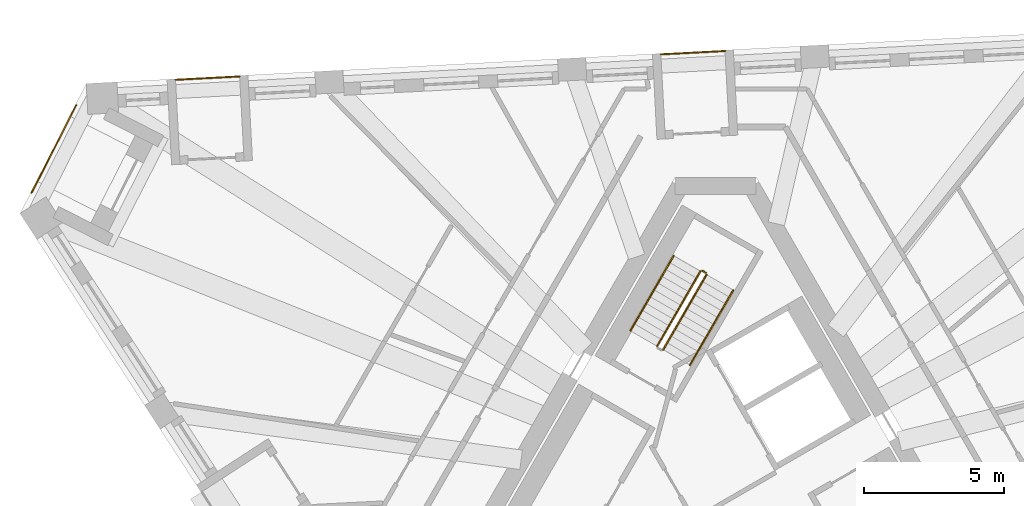
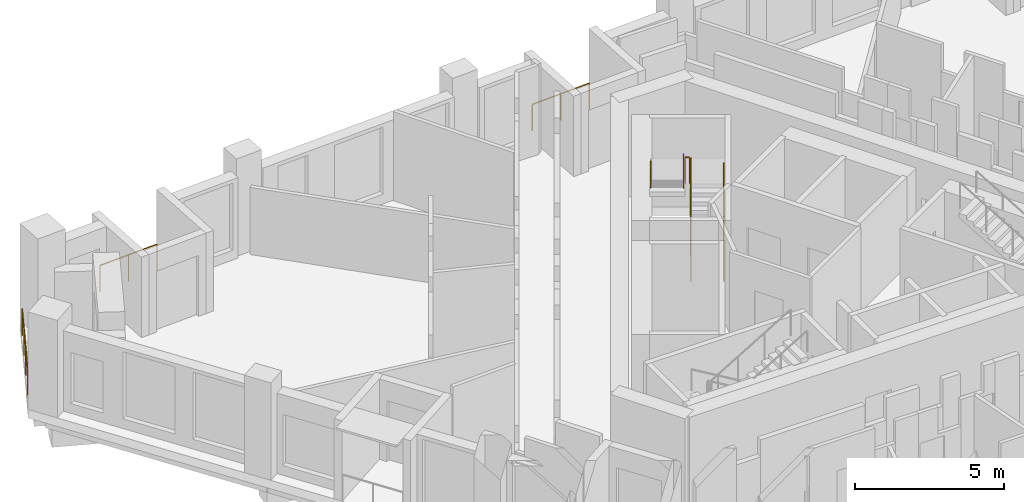
# One storey, part 11 of 12: 8 railings.
"""IFC4 building model written with IfcOpenShell, lengths in metres."""

from ifc_helpers import new_model, si_unit, direction, frame, origin, origin_2d, place, context, subcontext, project, spatial, circle, extrude, material, type_object, element, save


model = new_model("IFC4")

# Units and contexts
model_context = context("Model", 3, precision=1e-05, world=origin(), true_north=direction((0.0, 1.0)))
body_context = subcontext(model_context, "Body", "Model", "MODEL_VIEW")
ifc_project = project(units=[si_unit("LENGTHUNIT", "METRE"), si_unit("AREAUNIT", "SQUARE_METRE"), si_unit("VOLUMEUNIT", "CUBIC_METRE"), si_unit("PLANEANGLEUNIT", "RADIAN"), si_unit("MASSUNIT", "GRAM", prefix="KILO")], contexts=[model_context])

# Site, building, storey
site_placement = place(None, origin())
site = spatial("IfcSite", under=ifc_project, at=site_placement, CompositionType="ELEMENT")
building_placement = place(site_placement, origin())
building = spatial("IfcBuilding", under=site, at=building_placement, Name="Tramontana Tower", CompositionType="ELEMENT")
storey_placement = place(building_placement, frame((0.0, 0.0, 278.39990234375)))
storey = spatial("IfcBuildingStorey", under=building, at=storey_placement, Name="L65", CompositionType="ELEMENT", Elevation=278.39990234375)

# Railings
ifc_material_1 = material(Name="Laminated glass balustrade", Category="glass")
railing_type_1 = type_object("IfcRailingType", Name="GD1 Loggia glass balustrade 1100", PredefinedType="BALUSTRADE", material=ifc_material_1)
for number, where, name in (
    (1, (0.332275390625, 15.508544921875, 0.0), "Loggia balustrade L65 G7S2.7"),
    (2, (-16.964599609375, 14.60205078125, 0.0), "Loggia balustrade L65 G7S2.13"),
):
    element("IfcRailing", number, at=place(storey_placement, frame(where)), inside=storey, type_object=railing_type_1, Name=name, PredefinedType="BALUSTRADE", context=body_context, shape_type="SweptSolid", body=[
        extrude(circle(Radius=0.02392578125, at=origin_2d()), frame((0.0, 0.0, 1.076171875), z_axis=(-0.998630775221, -0.052312281362, 0.0), x_axis=(0.052312281362, -0.998630775221, 0.0)), (0.0, 0.0, 1.0), 2.286865234375),
        extrude(circle(Radius=0.02099609375, at=origin_2d()), origin(), (0.0, 0.0, 1.0), 1.052001953125),
        extrude(circle(Radius=0.02099609375, at=origin_2d()), frame((-1.141845703125, -0.059814453125, 0.0)), (0.0, 0.0, 1.0), 1.052001953125),
        extrude(circle(Radius=0.02099609375, at=origin_2d()), frame((-2.28369140625, -0.11962890625, 0.0)), (0.0, 0.0, 1.0), 1.052001953125),
    ])
railing_1_placement = place(storey_placement, frame((-24.37939453125, 10.457763671875, 0.0)))
element("IfcRailing", 3, at=railing_1_placement, inside=storey, type_object=railing_type_1, Name="Corner loggia balustrade L65 K70", PredefinedType="BALUSTRADE", context=body_context, shape_type="SweptSolid", body=[
    extrude(circle(Radius=0.02392578125, at=origin_2d()), frame((0.0, 0.0, 1.076171875), z_axis=(0.453952949021, 0.891025656238, 0.0), x_axis=(-0.891025656238, 0.453952949021, 0.0)), (0.0, 0.0, 1.0), 3.5),
    extrude(circle(Radius=0.02099609375, at=origin_2d()), origin(), (0.0, 0.0, 1.0), 1.052001953125),
    extrude(circle(Radius=0.02099609375, at=origin_2d()), frame((0.529541015625, 1.03955078125, 0.0)), (0.0, 0.0, 1.0), 1.052001953125),
    extrude(circle(Radius=0.02099609375, at=origin_2d()), frame((1.059326171875, 2.0791015625, 0.0)), (0.0, 0.0, 1.0), 1.052001953125),
    extrude(circle(Radius=0.02099609375, at=origin_2d()), frame((1.5888671875, 3.11865234375, 0.0)), (0.0, 0.0, 1.0), 1.052001953125),
])
ifc_material_2 = material(Name="Painted steel", Category="steel")
railing_type_2 = type_object("IfcRailingType", Name="STAIR GUARD 1100", PredefinedType="GUARDRAIL", material=ifc_material_2)
railing_2_placement = place(storey_placement, frame((-1.867431640625, 4.865478515625, 0.166748046875)))
element("IfcRailing", 4, at=railing_2_placement, inside=storey, type_object=railing_type_2, Name="L65 ST1 stair guard 1", PredefinedType="GUARDRAIL", context=body_context, shape_type="SweptSolid", body=[
    extrude(circle(Radius=0.02392578125, at=origin_2d()), frame((0.0, 0.0, 1.076171875), z_axis=(0.429649414936, 0.744189839504, 0.511451721109), x_axis=(-0.866029832698, 0.499992328818, 0.0)), (0.0, 0.0, 1.0), 3.58447265625),
    extrude(circle(Radius=0.02099609375, at=origin_2d()), origin(), (0.0, 0.0, 1.0), 1.052001953125),
    extrude(circle(Radius=0.02099609375, at=origin_2d()), frame((0.513427734375, 0.88916015625, 0.611083984375)), (0.0, 0.0, 1.0), 1.052001953125),
    extrude(circle(Radius=0.02099609375, at=origin_2d()), frame((1.026611328125, 1.7783203125, 1.22216796875)), (0.0, 0.0, 1.0), 1.052001953125),
    extrude(circle(Radius=0.02099609375, at=origin_2d()), frame((1.5400390625, 2.66748046875, 1.833251953125)), (0.0, 0.0, 1.0), 1.052001953125),
])
railing_3_placement = place(storey_placement, frame((-0.5439453125, 7.657958984375, 2.166748046875)))
element("IfcRailing", 5, at=railing_3_placement, inside=storey, type_object=railing_type_2, Name="L65 ST1 stair guard 2", PredefinedType="GUARDRAIL", context=body_context, shape_type="SweptSolid", body=[
    extrude(circle(Radius=0.02392578125, at=origin_2d()), frame((0.0, 0.0, 1.076171875), z_axis=(-0.429649414936, -0.744189839504, 0.511451721109), x_axis=(0.866029832698, -0.499992328818, 0.0)), (0.0, 0.0, 1.0), 3.58447265625),
    extrude(circle(Radius=0.02099609375, at=origin_2d()), origin(), (0.0, 0.0, 1.0), 1.052001953125),
    extrude(circle(Radius=0.02099609375, at=origin_2d()), frame((-0.513427734375, -0.88916015625, 0.611083984375)), (0.0, 0.0, 1.0), 1.052001953125),
    extrude(circle(Radius=0.02099609375, at=origin_2d()), frame((-1.026611328125, -1.7783203125, 1.22216796875)), (0.0, 0.0, 1.0), 1.052001953125),
    extrude(circle(Radius=0.02099609375, at=origin_2d()), frame((-1.5400390625, -2.66748046875, 1.833251953125)), (0.0, 0.0, 1.0), 1.052001953125),
])
railing_4_placement = place(storey_placement, frame((-0.345703125, 7.601318359375, 2.0)))
element("IfcRailing", 6, at=railing_4_placement, inside=storey, type_object=railing_type_2, Name="L65 ST1 stair guard 3", PredefinedType="GUARDRAIL", context=body_context, shape_type="SweptSolid", body=[
    extrude(circle(Radius=0.02392578125, at=origin_2d()), frame((0.0, 0.0, 1.076171875), z_axis=(-0.866131372301, 0.499816412211, 0.0), x_axis=(-0.499816412211, -0.866131372301, 0.0)), (0.0, 0.0, 1.0), 0.14990234375),
    extrude(circle(Radius=0.02099609375, at=origin_2d()), origin(), (0.0, 0.0, 1.0), 1.052001953125),
    extrude(circle(Radius=0.02099609375, at=origin_2d()), frame((-0.1298828125, 0.074951171875, 0.0)), (0.0, 0.0, 1.0), 1.052001953125),
])
ifc_material_3 = material(Name="Painted steel", Category="steel")
railing_type_3 = type_object("IfcRailingType", Name="STAIR HANDRAIL 900", PredefinedType="HANDRAIL", material=ifc_material_3)
railing_5_placement = place(storey_placement, frame((-0.914794921875, 4.315673828125, 0.166748046875)))
element("IfcRailing", 7, at=railing_5_placement, inside=storey, type_object=railing_type_3, Name="L65 ST1 stair handrail 1", PredefinedType="HANDRAIL", context=body_context, shape_type="SweptSolid", body=[
    extrude(circle(Radius=0.02392578125, at=origin_2d()), frame((0.0, 0.0, 0.8759765625), z_axis=(0.429671193721, 0.744159446956, 0.511477646425), x_axis=(-0.866010015463, 0.500026652407, 0.0)), (0.0, 0.0, 1.0), 3.584228515625),
    extrude(circle(Radius=0.02099609375, at=origin_2d()), origin(), (0.0, 0.0, 1.0), 0.851806640625),
    extrude(circle(Radius=0.02099609375, at=origin_2d()), frame((0.513427734375, 0.88916015625, 0.611083984375)), (0.0, 0.0, 1.0), 0.851806640625),
    extrude(circle(Radius=0.02099609375, at=origin_2d()), frame((1.026611328125, 1.778076171875, 1.22216796875)), (0.0, 0.0, 1.0), 0.851806640625),
    extrude(circle(Radius=0.02099609375, at=origin_2d()), frame((1.5400390625, 2.667236328125, 1.833251953125)), (0.0, 0.0, 1.0), 0.851806640625),
])
railing_6_placement = place(storey_placement, frame((-1.49658203125, 8.2080078125, 2.166748046875)))
element("IfcRailing", 8, at=railing_6_placement, inside=storey, type_object=railing_type_3, Name="L65 ST1 stair handrail 2", PredefinedType="HANDRAIL", context=body_context, shape_type="SweptSolid", body=[
    extrude(circle(Radius=0.02392578125, at=origin_2d()), frame((0.0, 0.0, 0.8759765625), z_axis=(-0.429649414936, -0.744189839504, 0.511451721109), x_axis=(0.866029832698, -0.499992328818, 0.0)), (0.0, 0.0, 1.0), 3.58447265625),
    extrude(circle(Radius=0.02099609375, at=origin_2d()), origin(), (0.0, 0.0, 1.0), 0.851806640625),
    extrude(circle(Radius=0.02099609375, at=origin_2d()), frame((-0.513427734375, -0.88916015625, 0.611083984375)), (0.0, 0.0, 1.0), 0.851806640625),
    extrude(circle(Radius=0.02099609375, at=origin_2d()), frame((-1.026611328125, -1.7783203125, 1.22216796875)), (0.0, 0.0, 1.0), 0.851806640625),
    extrude(circle(Radius=0.02099609375, at=origin_2d()), frame((-1.5400390625, -2.66748046875, 1.833251953125)), (0.0, 0.0, 1.0), 0.851806640625),
])

save(model, "model.ifc")
